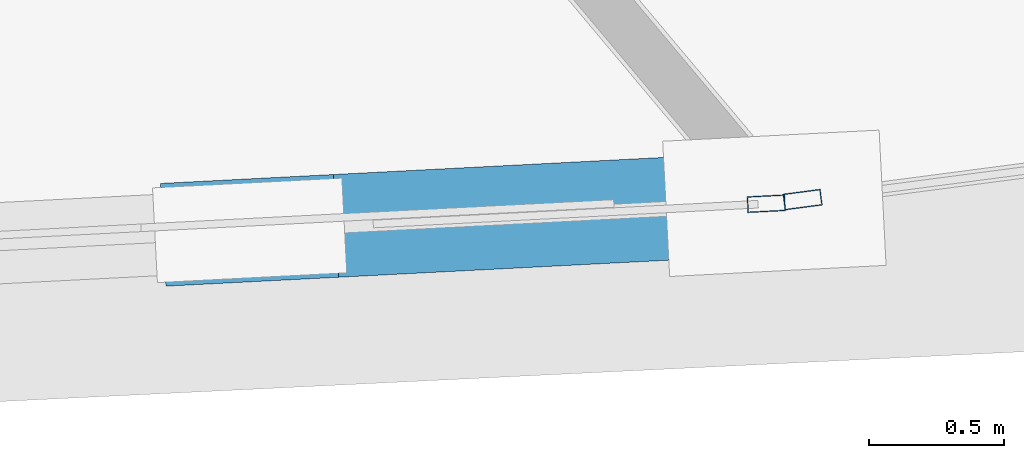
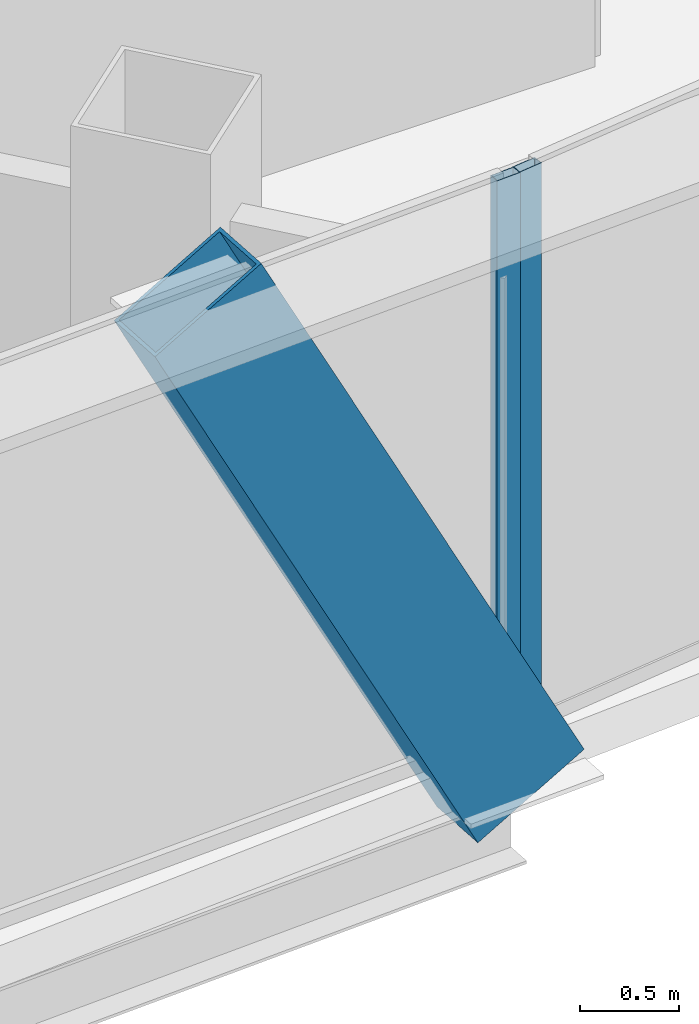
# One storey, part 11 of 35: 3 members, 2 elements without a shape of their own.
"""IFC4 building model written with IfcOpenShell, lengths in metres."""

import ifcopenshell
import ifcopenshell.guid

model = None  # the IFC model being written
_history = None  # IfcOwnerHistory: only IFC2X3 demands one
_inside = {}  # id of a spatial element -> (the spatial element, [elements in it])
_under = {}  # id of a project, library or spatial element -> (it, [spatial elements below it])
_declared = {}  # id of a project -> (the project, [libraries it declares])
_typed = {}  # id of a type object -> (the type object, [elements of that type])
_made_of = {}  # id of a material, layer set ... -> (it, [elements and type objects made of it])


def new_model(schema):
    """Start an empty IFC model of exactly this schema.

    Asked for "IFC4X3", IfcOpenShell would pick the latest addendum, in which some entities
    have other attributes; the version numbers below select the first issue.
    IFC2X3 requires an IfcOwnerHistory on every rooted entity: one is made here for all.
    """
    global model, _history
    if schema == "IFC4X3":
        model = ifcopenshell.file(schema_version=(4, 3, 0, 0))
    else:
        model = ifcopenshell.file(schema=schema)
    _inside.clear()
    _under.clear()
    _declared.clear()
    _typed.clear()
    _made_of.clear()
    _history = None
    if model.schema == "IFC2X3":
        org = make("IfcOrganization", Name="unknown")
        user = make(
            "IfcPersonAndOrganization",
            ThePerson=make("IfcPerson", FamilyName="unknown"),
            TheOrganization=org,
        )
        app = make(
            "IfcApplication",
            ApplicationDeveloper=org,
            Version="unknown",
            ApplicationFullName="unknown",
            ApplicationIdentifier="unknown",
        )
        _history = make(
            "IfcOwnerHistory",
            OwningUser=user,
            OwningApplication=app,
            ChangeAction="ADDED",
            CreationDate=0,
        )
    return model


def make(cls, **values):
    """One entity of the class cls with the attributes given. An attribute that is None is left unset."""
    return model.create_entity(
        cls, **{name: value for name, value in values.items() if value is not None}
    )


def rooted(cls, **values):
    """An entity with a GlobalId (a new one), such as an element, a storey or a relation."""
    return make(cls, GlobalId=ifcopenshell.guid.new(), OwnerHistory=_history, **values)


def si_unit(unit_type, name, prefix=None):
    """IfcSIUnit, for example si_unit("LENGTHUNIT", "METRE", prefix="MILLI")."""
    return make("IfcSIUnit", UnitType=unit_type, Prefix=prefix, Name=name)


def assignment(units):
    """IfcUnitAssignment: the units of a project."""
    return None if units is None else make("IfcUnitAssignment", Units=units)


def point(xyz):
    """IfcCartesianPoint."""
    return None if xyz is None else make("IfcCartesianPoint", Coordinates=xyz)


def direction(xyz):
    """IfcDirection."""
    return None if xyz is None else make("IfcDirection", DirectionRatios=xyz)


def frame(location, z_axis=None, x_axis=None):
    """IfcAxis2Placement3D, a coordinate frame: its origin and axes. An axis left out is left unset."""
    return make(
        "IfcAxis2Placement3D",
        Location=point(location),
        Axis=direction(z_axis),
        RefDirection=direction(x_axis),
    )


def frame_2d(location, x_axis=None):
    """IfcAxis2Placement2D, a coordinate frame in the plane: its origin and x axis."""
    return make(
        "IfcAxis2Placement2D", Location=point(location), RefDirection=direction(x_axis)
    )


def origin():
    """The frame at (0, 0, 0) with its axes left unset."""
    return frame((0.0, 0.0, 0.0))


def origin_2d():
    """The frame at (0, 0) in the plane with its x axis left unset."""
    return frame_2d((0.0, 0.0))


def place(relative_to, where):
    """IfcLocalPlacement: puts the frame where relative to a parent placement (None: the world)."""
    return make(
        "IfcLocalPlacement", PlacementRelTo=relative_to, RelativePlacement=where
    )


def context(
    kind, dimensions, precision=None, world=None, true_north=None, identifier=None
):
    """IfcGeometricRepresentationContext, for example the 3D "Model" context."""
    return make(
        "IfcGeometricRepresentationContext",
        ContextIdentifier=identifier,
        ContextType=kind,
        CoordinateSpaceDimension=dimensions,
        Precision=precision,
        WorldCoordinateSystem=world,
        TrueNorth=true_north,
    )


def subcontext(parent, identifier, kind, view, scale=None):
    """IfcGeometricRepresentationSubContext, for example "Body" below "Model"."""
    return make(
        "IfcGeometricRepresentationSubContext",
        ContextIdentifier=identifier,
        ContextType=kind,
        ParentContext=parent,
        TargetScale=scale,
        TargetView=view,
    )


def project(units=None, contexts=None):
    """IfcProject with its units and contexts."""
    return rooted(
        "IfcProject",
        Name="project",
        RepresentationContexts=contexts,
        UnitsInContext=assignment(units),
    )


def spatial(cls, under=None, at=None, **own):
    """A site, building, storey or space (cls), placed at a placement, below another one or the project."""
    s = rooted(cls, ObjectPlacement=at, **own)
    if under is not None:
        _under.setdefault(under.id(), (under, []))[1].append(s)
    return s


def profile(cls, at=None, kind="AREA", **sizes):
    """A parametric profile (cls). Its sizes go by their IFC names, for example OverallWidth=200.0."""
    return make(cls, ProfileType=kind, Position=at, **sizes)


def hollow_rectangle(**sizes):
    """IfcRectangleHollowProfileDef."""
    return profile("IfcRectangleHollowProfileDef", **sizes)


def extrude(swept, where, along, depth):
    """IfcExtrudedAreaSolid: the profile swept, set in the frame where, extruded along a direction by depth."""
    return make(
        "IfcExtrudedAreaSolid",
        SweptArea=swept,
        Position=where,
        ExtrudedDirection=direction(along),
        Depth=depth,
    )


def shape(context_of_items, identifier, shape_type, items):
    """IfcShapeRepresentation: the items that make up one representation, for example the "Body"."""
    return make(
        "IfcShapeRepresentation",
        ContextOfItems=context_of_items,
        RepresentationIdentifier=identifier,
        RepresentationType=shape_type,
        Items=items,
    )


def source(mapping_origin, context_of_items, identifier, shape_type, items):
    """IfcRepresentationMap: a shape defined once, which mapped items show again and again."""
    return make(
        "IfcRepresentationMap",
        MappingOrigin=mapping_origin,
        MappedRepresentation=shape(context_of_items, identifier, shape_type, items),
    )


def transform(
    local_origin,
    x_axis=None,
    y_axis=None,
    z_axis=None,
    scale=None,
    scale2=None,
    scale3=None,
    uniform=True,
):
    """IfcCartesianTransformationOperator3D, or its non-uniform kind. x_axis, y_axis, z_axis: its Axis1, 2, 3."""
    if uniform:
        return make(
            "IfcCartesianTransformationOperator3D",
            Axis1=direction(x_axis),
            Axis2=direction(y_axis),
            LocalOrigin=point(local_origin),
            Scale=scale,
            Axis3=direction(z_axis),
        )
    return make(
        "IfcCartesianTransformationOperator3DnonUniform",
        Axis1=direction(x_axis),
        Axis2=direction(y_axis),
        LocalOrigin=point(local_origin),
        Scale=scale,
        Axis3=direction(z_axis),
        Scale2=scale2,
        Scale3=scale3,
    )


def mapped(mapping_source, mapping_target):
    """IfcMappedItem: shows the shape of a source again, moved by a transform."""
    return make(
        "IfcMappedItem", MappingSource=mapping_source, MappingTarget=mapping_target
    )


def material(Name=None, Category=None):
    """IfcMaterial."""
    return make("IfcMaterial", Name=Name, Category=Category)


def layer(
    of_material, thickness, ventilated=None, Name=None, Category=None, Priority=None
):
    """IfcMaterialLayer: one layer of a wall or slab, of a material (None: an air gap)."""
    return make(
        "IfcMaterialLayer",
        Material=of_material,
        LayerThickness=thickness,
        IsVentilated=ventilated,
        Name=Name,
        Category=Category,
        Priority=Priority,
    )


def layer_set(layers, Name=None):
    """IfcMaterialLayerSet."""
    return make("IfcMaterialLayerSet", MaterialLayers=layers, LayerSetName=Name)


def material_profile(
    of_material, cross_section, Name=None, Category=None, Priority=None
):
    """IfcMaterialProfile: a cross section and its material."""
    return make(
        "IfcMaterialProfile",
        Name=Name,
        Material=of_material,
        Profile=cross_section,
        Priority=Priority,
        Category=Category,
    )


def profile_set(profiles, Name=None, composite=None):
    """IfcMaterialProfileSet."""
    return make(
        "IfcMaterialProfileSet",
        Name=Name,
        MaterialProfiles=profiles,
        CompositeProfile=composite,
    )


def made_of(thing, what):
    """Note that an element or type object is made of a material, layer set ...; save() writes the relation."""
    if what is not None:
        _made_of.setdefault(what.id(), (what, []))[1].append(thing)
    return thing


def type_object(cls, material=None, **own):
    """A type object (cls), such as IfcWallType, which elements share."""
    return made_of(rooted(cls, **own), material)


def element(
    cls,
    number,
    at=None,
    inside=None,
    cuts=None,
    type_object=None,
    material=None,
    context=None,
    identifier="Body",
    shape_type=None,
    held_by="IfcProductDefinitionShape",
    body=None,
    shapes=None,
    **own,
):
    """One element of the class cls, such as IfcWall. Its Tag is "e" and its number.

    at: its placement. inside: the storey or other place that contains it. cuts: it is an
    opening in that element (IfcRelVoidsElement). A single representation is given by context,
    identifier, shape_type and body (its items); several are given by shapes. held_by: the class
    of the entity that holds the representations. save() writes the other relations.
    """
    e = rooted(cls, Tag="e%d" % number, ObjectPlacement=at, **own)
    if body is not None:
        shapes = [shape(context, identifier, shape_type, body)]
    if shapes is not None:
        e.Representation = make(held_by, Representations=shapes)
    if inside is not None:
        _inside.setdefault(inside.id(), (inside, []))[1].append(e)
    if cuts is not None:
        rooted(
            "IfcRelVoidsElement", RelatingBuildingElement=cuts, RelatedOpeningElement=e
        )
    if type_object is not None:
        _typed.setdefault(type_object.id(), (type_object, []))[1].append(e)
    return made_of(e, material)


def aggregate(whole, parts):
    """IfcRelAggregates: a whole, such as a stair, and the parts it consists of."""
    return rooted("IfcRelAggregates", RelatingObject=whole, RelatedObjects=parts)


def save(model, path):
    """Write the relations noted so far, then the file.

    IfcRelAggregates (storeys below a building ...), IfcRelContainedInSpatialStructure (elements
    in a storey), IfcRelDefinesByType, IfcRelAssociatesMaterial and IfcRelDeclares: one each for
    every whole, place, type object, material and project.
    """
    for whole, parts in _under.values():
        aggregate(whole, parts)
    for where, things in _inside.values():
        rooted(
            "IfcRelContainedInSpatialStructure",
            RelatedElements=things,
            RelatingStructure=where,
        )
    for kind, things in _typed.values():
        rooted("IfcRelDefinesByType", RelatedObjects=things, RelatingType=kind)
    for what, things in _made_of.values():
        rooted("IfcRelAssociatesMaterial", RelatedObjects=things, RelatingMaterial=what)
    for by, libraries in _declared.values():
        rooted("IfcRelDeclares", RelatingContext=by, RelatedDefinitions=libraries)
    model.write(path)


model = new_model("IFC4")

# Units and contexts
model_context = context("Model", 3, precision=1e-05, world=origin(), true_north=direction((0.0, 1.0)))
body_context = subcontext(model_context, "Body", "Model", "MODEL_VIEW")
ifc_project = project(units=[si_unit("LENGTHUNIT", "METRE"), si_unit("AREAUNIT", "SQUARE_METRE"), si_unit("VOLUMEUNIT", "CUBIC_METRE"), si_unit("PLANEANGLEUNIT", "RADIAN"), si_unit("MASSUNIT", "GRAM", prefix="KILO"), si_unit("THERMODYNAMICTEMPERATUREUNIT", "KELVIN"), si_unit("POWERUNIT", "WATT")], contexts=[model_context])

# Site, building, storey
site_placement = place(None, origin())
site = spatial("IfcSite", under=ifc_project, at=site_placement, CompositionType="ELEMENT")
building_placement = place(site_placement, origin())
building = spatial("IfcBuilding", under=site, at=building_placement, Name="Yunzhuo Pagoda Commons", CompositionType="ELEMENT")
storey_placement = place(building_placement, frame((0.0, 0.0, 303.669921875)))
storey = spatial("IfcBuildingStorey", under=building, at=storey_placement, Name="L76", CompositionType="ELEMENT", Elevation=303.669921875)

# Member
ifc_material_1 = material(Name="Structural steel Q355B", Category="steel")
ifc_material_profile_1 = material_profile(ifc_material_1, hollow_rectangle(XDim=0.3798828125, YDim=0.719970703125, WallThickness=0.02001953125, at=origin_2d()), Name="Structural steel Q355B")
ifc_profile_set_1 = profile_set([ifc_material_profile_1], Name="Structural steel Q355B")
member_type_1 = type_object("IfcMemberType", Name="M-DL3 Brace BOX 720x380x20", PredefinedType="BRACE", material=ifc_profile_set_1)
shared_shape_1 = source(origin(), body_context, "Body", "SweptSolid", [
    extrude(hollow_rectangle(XDim=0.3798828125, YDim=0.719970703125, WallThickness=0.02001953125, at=origin_2d()), origin(), (0.0, 0.0, 1.0), 4.204345703125),
])
member_1_placement = place(storey_placement, frame((59.54150390625, 19.945556640625, -0.260009765625), z_axis=(-0.460784915353, -0.023808672375, 0.887192430594), x_axis=(0.051600981801, -0.998667781936, 0.0)))
element("IfcMember", 1, at=member_1_placement, inside=storey, type_object=member_type_1, Name="L76 facade diamond brace F1.3R", PredefinedType="BRACE", context=body_context, shape_type="MappedRepresentation", body=[
    mapped(shared_shape_1, transform((0.0, 0.0, 0.0), scale=1.0)),
])

# Curtain wall, member
ifc_material_2 = material(Name="Anodized aluminium 6063-T6", Category="aluminium")
ifc_layer = layer(ifc_material_2, 0.139892578125)
ifc_layer_set = layer_set([ifc_layer], Name="Anodized aluminium 6063-T6")
curtain_wall_type = type_object("IfcCurtainWallType", Name="CW-HI High-Zone Ribbon Curtain Wall", PredefinedType="NOTDEFINED", material=ifc_layer_set)
curtain_wall_1_placement = place(storey_placement, origin())
curtain_wall_1 = element("IfcCurtainWall", 2, at=curtain_wall_1_placement, inside=storey, type_object=curtain_wall_type, Name="L76 curtain wall CW-L76-F1B4", PredefinedType="NOTDEFINED")
ifc_material_profile_2 = material_profile(ifc_material_2, hollow_rectangle(XDim=0.06005859375, YDim=0.139892578125, WallThickness=0.00341796875, at=origin_2d()), Name="Anodized aluminium 6063-T6")
ifc_profile_set_2 = profile_set([ifc_material_profile_2], Name="Anodized aluminium 6063-T6")
member_type_2 = type_object("IfcMemberType", Name="CW-HI-M Mullion RHS 140x60x3.5", PredefinedType="MULLION", material=ifc_profile_set_2)
shared_shape_2 = source(origin(), body_context, "Body", "SweptSolid", [
    extrude(hollow_rectangle(XDim=0.06005859375, YDim=0.139892578125, WallThickness=0.00341796875, at=origin_2d()), origin(), (0.0, 0.0, 1.0), 3.469970703125),
])
member_2_placement = place(storey_placement, frame((59.511474609375, 19.94384765625, 0.0), z_axis=(0.0, 0.0, 1.0), x_axis=(-0.051461616076, 0.998674973187, 0.0)))
member_2 = element("IfcMember", 3, at=member_2_placement, type_object=member_type_2, Name="CW mullion 2", PredefinedType="MULLION", context=body_context, shape_type="MappedRepresentation", body=[
    mapped(shared_shape_2, transform((0.0, 0.0, 0.0), scale=1.0)),
])
aggregate(curtain_wall_1, [member_2])

curtain_wall_2_placement = place(storey_placement, origin())
curtain_wall_2 = element("IfcCurtainWall", 4, at=curtain_wall_2_placement, inside=storey, type_object=curtain_wall_type, Name="L76 curtain wall CW-L76-F1B5", PredefinedType="NOTDEFINED")
member_3_placement = place(storey_placement, frame((59.645751953125, 19.958984375, 0.0), z_axis=(0.0, 0.0, 1.0), x_axis=(-0.129855071238, 0.991532985066, 0.0)))
member_3 = element("IfcMember", 5, at=member_3_placement, type_object=member_type_2, Name="CW mullion 1", PredefinedType="MULLION", context=body_context, shape_type="MappedRepresentation", body=[
    mapped(shared_shape_2, transform((0.0, 0.0, 0.0), scale=1.0)),
])
aggregate(curtain_wall_2, [member_3])

save(model, "model.ifc")
